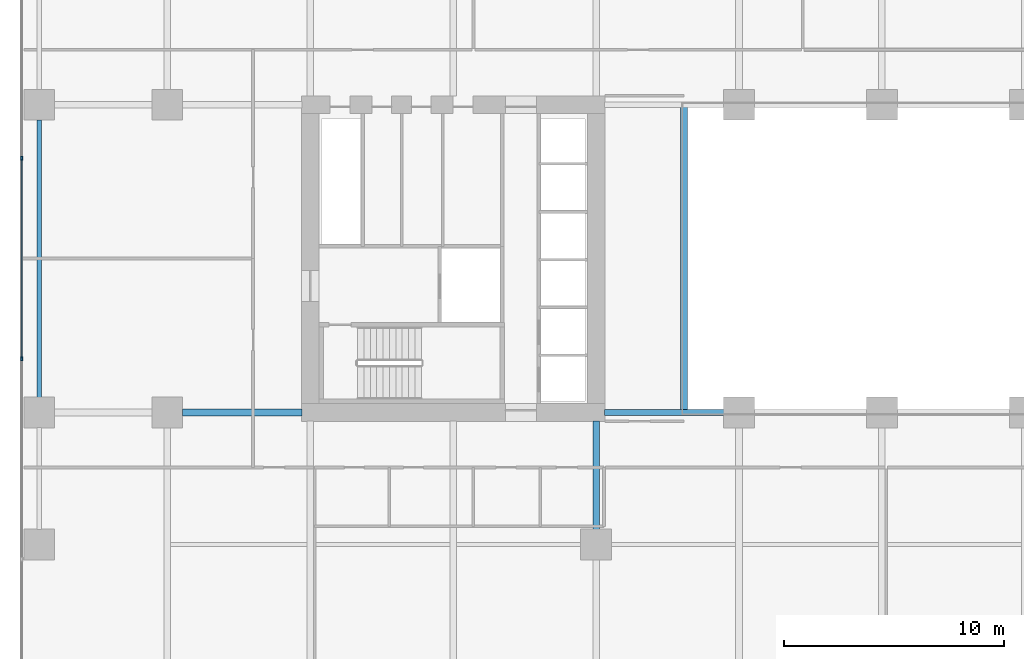
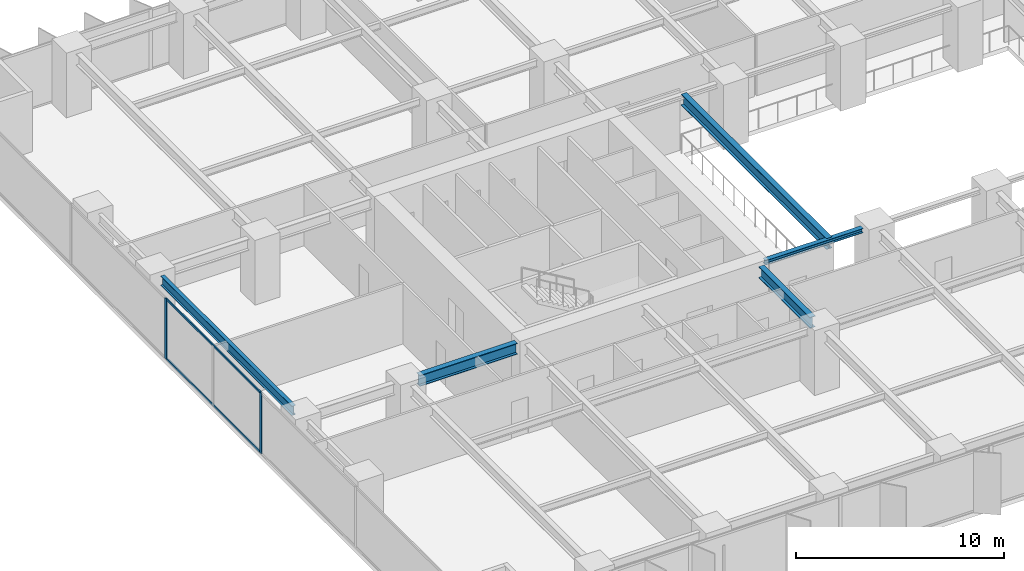
# One storey, part 4 of 20: 5 beams, 4 members, 1 element without a shape of its own.
"""IFC4 building model written with IfcOpenShell, lengths in metres."""

from ifc_helpers import new_model, si_unit, direction, frame, origin, origin_2d, place, context, subcontext, project, spatial, rectangle, i_section, extrude, material, layer, layer_set, material_profile, profile_set, type_object, element, aggregate, save


model = new_model("IFC4")

# Units and contexts
model_context = context("Model", 3, precision=1e-05, world=origin(), true_north=direction((0.0, 1.0)))
body_context = subcontext(model_context, "Body", "Model", "MODEL_VIEW")
ifc_project = project(units=[si_unit("LENGTHUNIT", "METRE"), si_unit("AREAUNIT", "SQUARE_METRE"), si_unit("VOLUMEUNIT", "CUBIC_METRE"), si_unit("PLANEANGLEUNIT", "RADIAN"), si_unit("MASSUNIT", "GRAM", prefix="KILO")], contexts=[model_context])

# Site, building, storey
site_placement = place(None, origin())
site = spatial("IfcSite", under=ifc_project, at=site_placement, CompositionType="ELEMENT")
building_placement = place(site_placement, origin())
building = spatial("IfcBuilding", under=site, at=building_placement, Name="Putna Gate Headquarters", CompositionType="ELEMENT")
storey_placement = place(building_placement, frame((0.0, 0.0, 43.0)))
storey = spatial("IfcBuildingStorey", under=building, at=storey_placement, Name="L09", CompositionType="ELEMENT", Elevation=43.0)

# Beams
ifc_material_1 = material(Name="Steel S355J2", Category="steel")
ifc_material_profile_1 = material_profile(ifc_material_1, i_section(OverallWidth=0.260009765625, OverallDepth=0.260009765625, WebThickness=0.010009765625, FlangeThickness=0.017578125, at=origin_2d()), Name="Steel S355J2")
ifc_profile_set_1 = profile_set([ifc_material_profile_1], Name="Steel S355J2")
beam_type_1 = type_object("IfcBeamType", Name="BM-ATRIUM-HEB260", PredefinedType="BEAM", material=ifc_profile_set_1)
beam_1_placement = place(storey_placement, frame((26.385009765625, 19.0, 3.419921875), z_axis=(1.0, 0.0, 0.0), x_axis=(0.0, 1.0, 0.0)))
element("IfcBeam", 1, at=beam_1_placement, inside=storey, type_object=beam_type_1, Name="L09 Atrium Edge Beam AS1", PredefinedType="BEAM", context=body_context, shape_type="SweptSolid", body=[
    extrude(i_section(OverallWidth=0.260009765625, OverallDepth=0.260009765625, WebThickness=0.010009765625, FlangeThickness=0.017578125, at=origin_2d()), origin(), (0.0, 0.0, 1.0), 5.427001953125),
])
ifc_material_profile_2 = material_profile(ifc_material_1, i_section(OverallWidth=0.300048828125, OverallDepth=0.64990234375, WebThickness=0.01611328125, FlangeThickness=0.031005859375, at=origin_2d()), Name="Steel S355J2")
ifc_profile_set_2 = profile_set([ifc_material_profile_2], Name="Steel S355J2")
beam_type_2 = type_object("IfcBeamType", Name="BM-GIRD-Z1-HEB650", PredefinedType="USERDEFINED", material=ifc_profile_set_2)
beam_2_placement = place(storey_placement, frame((7.18798828125, 19.0, 3.22509765625), z_axis=(1.0, 0.0, 0.0), x_axis=(0.0, 1.0, 0.0)))
element("IfcBeam", 2, at=beam_2_placement, inside=storey, type_object=beam_type_2, Name="L09 West Wing Girder Y19-2", ObjectType="GIRDER", PredefinedType="USERDEFINED", context=body_context, shape_type="SweptSolid", body=[
    extrude(i_section(OverallWidth=0.300048828125, OverallDepth=0.64990234375, WebThickness=0.01611328125, FlangeThickness=0.031005859375, at=origin_2d()), origin(), (0.0, 0.0, 1.0), 5.427001953125),
])
beam_3_placement = place(storey_placement, frame((26.0, 13.68798828125, 3.22509765625), z_axis=(0.0, 1.0, 0.0), x_axis=(-1.0, 0.0, 0.0)))
element("IfcBeam", 3, at=beam_3_placement, inside=storey, type_object=beam_type_2, Name="L09 South Primary Girder X26-2", ObjectType="GIRDER", PredefinedType="USERDEFINED", context=body_context, shape_type="SweptSolid", body=[
    extrude(i_section(OverallWidth=0.300048828125, OverallDepth=0.64990234375, WebThickness=0.01611328125, FlangeThickness=0.031005859375, at=origin_2d()), origin(), (0.0, 0.0, 1.0), 4.927001953125),
])
beam_4_placement = place(storey_placement, frame((30.0, 19.010009765625, 3.22509765625), z_axis=(0.0, 1.0, 0.0), x_axis=(-1.0, 0.0, 0.0)))
element("IfcBeam", 4, at=beam_4_placement, inside=storey, type_object=beam_type_2, Name="L09 Atrium Trim Girder AW", ObjectType="GIRDER", PredefinedType="USERDEFINED", context=body_context, shape_type="SweptSolid", body=[
    extrude(i_section(OverallWidth=0.300048828125, OverallDepth=0.64990234375, WebThickness=0.01611328125, FlangeThickness=0.031005859375, at=origin_2d()), origin(), (0.0, 0.0, 1.0), 13.97998046875),
])
ifc_material_profile_3 = material_profile(ifc_material_1, i_section(OverallWidth=0.2099609375, OverallDepth=0.550048828125, WebThickness=0.010986328125, FlangeThickness=0.01708984375, at=origin_2d()), Name="Steel S355J2")
ifc_profile_set_3 = profile_set([ifc_material_profile_3], Name="Steel S355J2")
beam_type_3 = type_object("IfcBeamType", Name="BM-SPAN-Z1-IPE550", PredefinedType="SPANDREL", material=ifc_profile_set_3)
beam_5_placement = place(storey_placement, frame((0.679931640625, 19.68798828125, 3.27490234375), z_axis=(0.0, 1.0, 0.0), x_axis=(-1.0, 0.0, 0.0)))
element("IfcBeam", 5, at=beam_5_placement, inside=storey, type_object=beam_type_3, Name="L09 W End Spandrel 2", PredefinedType="SPANDREL", context=body_context, shape_type="SweptSolid", body=[
    extrude(i_section(OverallWidth=0.2099609375, OverallDepth=0.550048828125, WebThickness=0.010986328125, FlangeThickness=0.01708984375, at=origin_2d()), origin(), (0.0, 0.0, 1.0), 12.6240234375),
])

# Curtain wall, members
ifc_material_2 = material(Name="Anodised bronze aluminium curtain wall", Category="aluminium")
ifc_layer = layer(ifc_material_2, 0.179931640625)
ifc_layer_set = layer_set([ifc_layer], Name="Anodised bronze aluminium curtain wall")
curtain_wall_type = type_object("IfcCurtainWallType", Name="CW-SYS-Z1", PredefinedType="USERDEFINED", material=ifc_layer_set)
curtain_wall_placement = place(storey_placement, origin())
curtain_wall = element("IfcCurtainWall", 6, at=curtain_wall_placement, inside=storey, type_object=curtain_wall_type, Name="L09 West Curtain Wall", ObjectType="STICK CURTAIN WALL", PredefinedType="USERDEFINED")
ifc_material_3 = material(Name="Anodised bronze aluminium EN AW-6060", Category="aluminium")
ifc_material_profile_4 = material_profile(ifc_material_3, rectangle(XDim=0.070068359375, YDim=0.179931640625, at=origin_2d()), Name="Anodised bronze aluminium EN AW-6060")
ifc_profile_set_4 = profile_set([ifc_material_profile_4], Name="Anodised bronze aluminium EN AW-6060")
member_type_1 = type_object("IfcMemberType", Name="MULL-CWM-1", PredefinedType="MULLION", material=ifc_profile_set_4)
member_1_placement = place(storey_placement, frame((-0.1201171875, 21.43994140625, 0.0), z_axis=(0.0, 0.0, 1.0), x_axis=(-1.0, 0.0, 0.0)))
member_1 = element("IfcMember", 7, at=member_1_placement, type_object=member_type_1, Name="CWS-1 mullion 3", PredefinedType="MULLION", context=body_context, shape_type="SweptSolid", body=[
    extrude(rectangle(XDim=0.070068359375, YDim=0.179931640625, at=origin_2d()), origin(), (0.0, 0.0, 1.0), 3.550048828125),
])
member_2_placement = place(storey_placement, frame((-0.1201171875, 30.56005859375, 0.0), z_axis=(0.0, 0.0, 1.0), x_axis=(-1.0, 0.0, 0.0)))
member_2 = element("IfcMember", 8, at=member_2_placement, type_object=member_type_1, Name="CWS-1 mullion 4", PredefinedType="MULLION", context=body_context, shape_type="SweptSolid", body=[
    extrude(rectangle(XDim=0.070068359375, YDim=0.179931640625, at=origin_2d()), origin(), (0.0, 0.0, 1.0), 3.550048828125),
])
ifc_material_profile_5 = material_profile(ifc_material_3, rectangle(XDim=0.06494140625, YDim=0.1201171875, at=origin_2d()), Name="Anodised bronze aluminium EN AW-6060")
ifc_profile_set_5 = profile_set([ifc_material_profile_5], Name="Anodised bronze aluminium EN AW-6060")
member_type_2 = type_object("IfcMemberType", Name="TRAN-CWT-1", PredefinedType="USERDEFINED", material=ifc_profile_set_5)
member_3_placement = place(storey_placement, frame((-0.1201171875, 21.47509765625, 0.032470703125), z_axis=(0.0, 1.0, 0.0), x_axis=(-1.0, 0.0, 0.0)))
member_3 = element("IfcMember", 9, at=member_3_placement, type_object=member_type_2, Name="CWS-1 transom 3.1", ObjectType="TRANSOM", PredefinedType="USERDEFINED", context=body_context, shape_type="SweptSolid", body=[
    extrude(rectangle(XDim=0.06494140625, YDim=0.1201171875, at=origin_2d()), origin(), (0.0, 0.0, 1.0), 9.0498046875),
])
member_4_placement = place(storey_placement, frame((-0.1201171875, 21.47509765625, 3.517578125), z_axis=(0.0, 1.0, 0.0), x_axis=(-1.0, 0.0, 0.0)))
member_4 = element("IfcMember", 10, at=member_4_placement, type_object=member_type_2, Name="CWS-1 transom 3.2", ObjectType="TRANSOM", PredefinedType="USERDEFINED", context=body_context, shape_type="SweptSolid", body=[
    extrude(rectangle(XDim=0.06494140625, YDim=0.1201171875, at=origin_2d()), origin(), (0.0, 0.0, 1.0), 9.0498046875),
])
aggregate(curtain_wall, [member_1, member_2, member_3, member_4])

save(model, "model.ifc")
